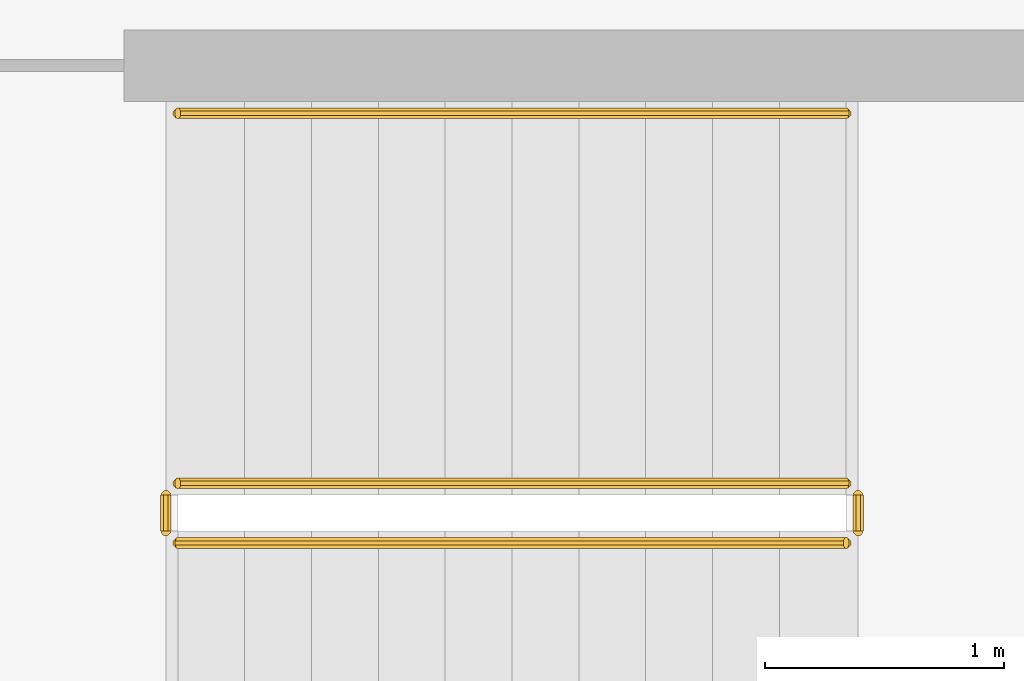
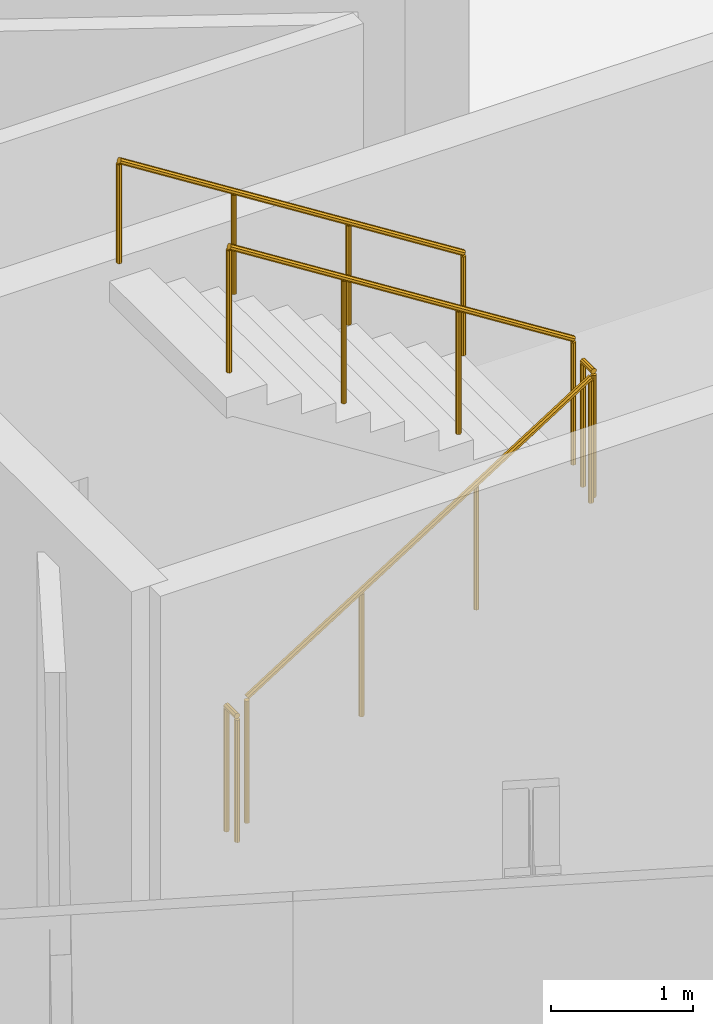
# One storey, part 30 of 35: 5 railings.
"""IFC4 building model written with IfcOpenShell, lengths in metres."""

from ifc_helpers import new_model, si_unit, direction, frame, origin, place, context, subcontext, project, spatial, polyline, outline, extrude, material, type_object, element, save


model = new_model("IFC4")

# Units and contexts
model_context = context("Model", 3, precision=1e-05, world=origin(), true_north=direction((0.0, 1.0)))
body_context = subcontext(model_context, "Body", "Model", "MODEL_VIEW")
ifc_project = project(units=[si_unit("LENGTHUNIT", "METRE"), si_unit("AREAUNIT", "SQUARE_METRE"), si_unit("VOLUMEUNIT", "CUBIC_METRE"), si_unit("PLANEANGLEUNIT", "RADIAN"), si_unit("MASSUNIT", "GRAM", prefix="KILO")], contexts=[model_context])

# Site, building, storey
site_placement = place(None, origin())
site = spatial("IfcSite", under=ifc_project, at=site_placement, CompositionType="ELEMENT")
building_placement = place(site_placement, origin())
building = spatial("IfcBuilding", under=site, at=building_placement, Name="Cormorant Relay Tower", CompositionType="ELEMENT")
storey_placement = place(building_placement, frame((0.0, 0.0, 324.300048828125)))
storey = spatial("IfcBuildingStorey", under=building, at=storey_placement, Name="L74", CompositionType="ELEMENT", Elevation=324.300048828125)

# Railings
ifc_material_1 = material(Name="Steel ASTM A572 Grade 50 (Fy 345 MPa)", Category="steel")
railing_type_1 = type_object("IfcRailingType", Name="Stair guard 1100", PredefinedType="GUARDRAIL", material=ifc_material_1)
railing_1_placement = place(storey_placement, frame((-27.75, -4.72509765625, 0.17724609375)))
element("IfcRailing", 1, at=railing_1_placement, inside=storey, type_object=railing_type_1, Name="L74 RC1 stair guard 1", PredefinedType="GUARDRAIL", context=body_context, shape_type="SweptSolid", body=[
    extrude(outline(polyline([(0.022216796875, 0.00927734375), (0.00927734375, 0.022216796875), (-0.00927734375, 0.022216796875), (-0.022216796875, 0.00927734375), (-0.022216796875, -0.00927734375), (-0.00927734375, -0.022216796875), (0.00927734375, -0.022216796875), (0.022216796875, -0.00927734375), (0.022216796875, 0.00927734375)])), frame((0.0, 0.0, 1.076171875), z_axis=(0.844908973607, 0.0, 0.534910110503), x_axis=(0.0, 1.0, 0.0)), (0.0, 0.0, 1.0), 3.31396484375),
    extrude(outline(polyline([(0.019287109375, 0.008056640625), (0.008056640625, 0.019287109375), (-0.008056640625, 0.019287109375), (-0.019287109375, 0.008056640625), (-0.019287109375, -0.008056640625), (-0.008056640625, -0.019287109375), (0.008056640625, -0.019287109375), (0.019287109375, -0.008056640625), (0.019287109375, 0.008056640625)])), origin(), (0.0, 0.0, 1.0), 1.052001953125),
    extrude(outline(polyline([(0.019287109375, 0.008056640625), (0.008056640625, 0.019287109375), (-0.008056640625, 0.019287109375), (-0.019287109375, 0.008056640625), (-0.019287109375, -0.008056640625), (-0.008056640625, -0.019287109375), (0.008056640625, -0.019287109375), (0.019287109375, -0.008056640625), (0.019287109375, 0.008056640625)])), frame((0.933349609375, 0.0, 0.5908203125)), (0.0, 0.0, 1.0), 1.052001953125),
    extrude(outline(polyline([(0.019287109375, 0.008056640625), (0.008056640625, 0.019287109375), (-0.008056640625, 0.019287109375), (-0.019287109375, 0.008056640625), (-0.019287109375, -0.008056640625), (-0.008056640625, -0.019287109375), (0.008056640625, -0.019287109375), (0.019287109375, -0.008056640625), (0.019287109375, 0.008056640625)])), frame((1.86669921875, 0.0, 1.181884765625)), (0.0, 0.0, 1.0), 1.052001953125),
    extrude(outline(polyline([(0.019287109375, 0.008056640625), (0.008056640625, 0.019287109375), (-0.008056640625, 0.019287109375), (-0.019287109375, 0.008056640625), (-0.019287109375, -0.008056640625), (-0.008056640625, -0.019287109375), (0.008056640625, -0.019287109375), (0.019287109375, -0.008056640625), (0.019287109375, 0.008056640625)])), frame((2.800048828125, 0.0, 1.772705078125)), (0.0, 0.0, 1.0), 1.052001953125),
])
railing_2_placement = place(storey_placement, frame((-24.89990234375, -4.675048828125, 1.949951171875)))
element("IfcRailing", 2, at=railing_2_placement, inside=storey, type_object=railing_type_1, Name="L74 RC1 stair guard 2", PredefinedType="GUARDRAIL", context=body_context, shape_type="SweptSolid", body=[
    extrude(outline(polyline([(0.022216796875, 0.00927734375), (0.00927734375, 0.022216796875), (-0.00927734375, 0.022216796875), (-0.022216796875, 0.00927734375), (-0.022216796875, -0.00927734375), (-0.00927734375, -0.022216796875), (0.00927734375, -0.022216796875), (0.022216796875, -0.00927734375), (0.022216796875, 0.00927734375)])), frame((0.0, 0.0, 1.076171875), z_axis=(0.0, 1.0, 0.0), x_axis=(-1.0, 0.0, 0.0)), (0.0, 0.0, 1.0), 0.150146484375),
    extrude(outline(polyline([(0.019287109375, 0.008056640625), (0.008056640625, 0.019287109375), (-0.008056640625, 0.019287109375), (-0.019287109375, 0.008056640625), (-0.019287109375, -0.008056640625), (-0.008056640625, -0.019287109375), (0.008056640625, -0.019287109375), (0.019287109375, -0.008056640625), (0.019287109375, 0.008056640625)])), origin(), (0.0, 0.0, 1.0), 1.052001953125),
    extrude(outline(polyline([(0.019287109375, 0.008056640625), (0.008056640625, 0.019287109375), (-0.008056640625, 0.019287109375), (-0.019287109375, 0.008056640625), (-0.019287109375, -0.008056640625), (-0.008056640625, -0.019287109375), (0.008056640625, -0.019287109375), (0.019287109375, -0.008056640625), (0.019287109375, 0.008056640625)])), frame((0.0, 0.150146484375, 0.0)), (0.0, 0.0, 1.0), 1.052001953125),
])
railing_3_placement = place(storey_placement, frame((-24.949951171875, -4.47509765625, 2.127197265625)))
element("IfcRailing", 3, at=railing_3_placement, inside=storey, type_object=railing_type_1, Name="L74 RC1 stair guard 3", PredefinedType="GUARDRAIL", context=body_context, shape_type="SweptSolid", body=[
    extrude(outline(polyline([(0.022216796875, 0.00927734375), (0.00927734375, 0.022216796875), (-0.00927734375, 0.022216796875), (-0.022216796875, 0.00927734375), (-0.022216796875, -0.00927734375), (-0.00927734375, -0.022216796875), (0.00927734375, -0.022216796875), (0.022216796875, -0.00927734375), (0.022216796875, 0.00927734375)])), frame((0.0, 0.0, 1.076171875), z_axis=(-0.844908973607, 0.0, 0.534910110503), x_axis=(0.0, -1.0, 0.0)), (0.0, 0.0, 1.0), 3.31396484375),
    extrude(outline(polyline([(0.019287109375, 0.008056640625), (0.008056640625, 0.019287109375), (-0.008056640625, 0.019287109375), (-0.019287109375, 0.008056640625), (-0.019287109375, -0.008056640625), (-0.008056640625, -0.019287109375), (0.008056640625, -0.019287109375), (0.019287109375, -0.008056640625), (0.019287109375, 0.008056640625)])), origin(), (0.0, 0.0, 1.0), 1.052001953125),
    extrude(outline(polyline([(0.019287109375, 0.008056640625), (0.008056640625, 0.019287109375), (-0.008056640625, 0.019287109375), (-0.019287109375, 0.008056640625), (-0.019287109375, -0.008056640625), (-0.008056640625, -0.019287109375), (0.008056640625, -0.019287109375), (0.019287109375, -0.008056640625), (0.019287109375, 0.008056640625)])), frame((-0.933349609375, 0.0, 0.5908203125)), (0.0, 0.0, 1.0), 1.052001953125),
    extrude(outline(polyline([(0.019287109375, 0.008056640625), (0.008056640625, 0.019287109375), (-0.008056640625, 0.019287109375), (-0.019287109375, 0.008056640625), (-0.019287109375, -0.008056640625), (-0.008056640625, -0.019287109375), (0.008056640625, -0.019287109375), (0.019287109375, -0.008056640625), (0.019287109375, 0.008056640625)])), frame((-1.86669921875, 0.0, 1.181884765625)), (0.0, 0.0, 1.0), 1.052001953125),
    extrude(outline(polyline([(0.019287109375, 0.008056640625), (0.008056640625, 0.019287109375), (-0.008056640625, 0.019287109375), (-0.019287109375, 0.008056640625), (-0.019287109375, -0.008056640625), (-0.008056640625, -0.019287109375), (0.008056640625, -0.019287109375), (0.019287109375, -0.008056640625), (0.019287109375, 0.008056640625)])), frame((-2.800048828125, 0.0, 1.772705078125)), (0.0, 0.0, 1.0), 1.052001953125),
])
railing_4_placement = place(storey_placement, frame((-27.800048828125, -4.675048828125, 0.0)))
element("IfcRailing", 4, at=railing_4_placement, inside=storey, type_object=railing_type_1, Name="L74 RC1 stair guard 4", PredefinedType="GUARDRAIL", context=body_context, shape_type="SweptSolid", body=[
    extrude(outline(polyline([(0.022216796875, 0.00927734375), (0.00927734375, 0.022216796875), (-0.00927734375, 0.022216796875), (-0.022216796875, 0.00927734375), (-0.022216796875, -0.00927734375), (-0.00927734375, -0.022216796875), (0.00927734375, -0.022216796875), (0.022216796875, -0.00927734375), (0.022216796875, 0.00927734375)])), frame((0.0, 0.0, 1.076171875), z_axis=(0.0, 1.0, 0.0), x_axis=(-1.0, 0.0, 0.0)), (0.0, 0.0, 1.0), 0.150146484375),
    extrude(outline(polyline([(0.019287109375, 0.008056640625), (0.008056640625, 0.019287109375), (-0.008056640625, 0.019287109375), (-0.019287109375, 0.008056640625), (-0.019287109375, -0.008056640625), (-0.008056640625, -0.019287109375), (0.008056640625, -0.019287109375), (0.019287109375, -0.008056640625), (0.019287109375, 0.008056640625)])), origin(), (0.0, 0.0, 1.0), 1.052001953125),
    extrude(outline(polyline([(0.019287109375, 0.008056640625), (0.008056640625, 0.019287109375), (-0.008056640625, 0.019287109375), (-0.019287109375, 0.008056640625), (-0.019287109375, -0.008056640625), (-0.008056640625, -0.019287109375), (0.008056640625, -0.019287109375), (0.019287109375, -0.008056640625), (0.019287109375, 0.008056640625)])), frame((0.0, 0.150146484375, 0.0)), (0.0, 0.0, 1.0), 1.052001953125),
])
ifc_material_2 = material(Name="Steel ASTM A572 Grade 50 (Fy 345 MPa)", Category="steel")
railing_type_2 = type_object("IfcRailingType", Name="Stair handrail 900", PredefinedType="HANDRAIL", material=ifc_material_2)
railing_5_placement = place(storey_placement, frame((-24.949951171875, -2.925048828125, 2.127197265625)))
element("IfcRailing", 5, at=railing_5_placement, inside=storey, type_object=railing_type_2, Name="L74 RC1 stair handrail 2", PredefinedType="HANDRAIL", context=body_context, shape_type="SweptSolid", body=[
    extrude(outline(polyline([(0.022216796875, 0.00927734375), (0.00927734375, 0.022216796875), (-0.00927734375, 0.022216796875), (-0.022216796875, 0.00927734375), (-0.022216796875, -0.00927734375), (-0.00927734375, -0.022216796875), (0.00927734375, -0.022216796875), (0.022216796875, -0.00927734375), (0.022216796875, 0.00927734375)])), frame((0.0, 0.0, 0.8759765625), z_axis=(-0.844908973607, 0.0, 0.534910110503), x_axis=(0.0, -1.0, 0.0)), (0.0, 0.0, 1.0), 3.31396484375),
    extrude(outline(polyline([(0.019287109375, 0.008056640625), (0.008056640625, 0.019287109375), (-0.008056640625, 0.019287109375), (-0.019287109375, 0.008056640625), (-0.019287109375, -0.008056640625), (-0.008056640625, -0.019287109375), (0.008056640625, -0.019287109375), (0.019287109375, -0.008056640625), (0.019287109375, 0.008056640625)])), origin(), (0.0, 0.0, 1.0), 0.851806640625),
    extrude(outline(polyline([(0.019287109375, 0.008056640625), (0.008056640625, 0.019287109375), (-0.008056640625, 0.019287109375), (-0.019287109375, 0.008056640625), (-0.019287109375, -0.008056640625), (-0.008056640625, -0.019287109375), (0.008056640625, -0.019287109375), (0.019287109375, -0.008056640625), (0.019287109375, 0.008056640625)])), frame((-0.933349609375, 0.0, 0.5908203125)), (0.0, 0.0, 1.0), 0.851806640625),
    extrude(outline(polyline([(0.019287109375, 0.008056640625), (0.008056640625, 0.019287109375), (-0.008056640625, 0.019287109375), (-0.019287109375, 0.008056640625), (-0.019287109375, -0.008056640625), (-0.008056640625, -0.019287109375), (0.008056640625, -0.019287109375), (0.019287109375, -0.008056640625), (0.019287109375, 0.008056640625)])), frame((-1.86669921875, 0.0, 1.181884765625)), (0.0, 0.0, 1.0), 0.851806640625),
    extrude(outline(polyline([(0.019287109375, 0.008056640625), (0.008056640625, 0.019287109375), (-0.008056640625, 0.019287109375), (-0.019287109375, 0.008056640625), (-0.019287109375, -0.008056640625), (-0.008056640625, -0.019287109375), (0.008056640625, -0.019287109375), (0.019287109375, -0.008056640625), (0.019287109375, 0.008056640625)])), frame((-2.800048828125, 0.0, 1.772705078125)), (0.0, 0.0, 1.0), 0.851806640625),
])

save(model, "model.ifc")
